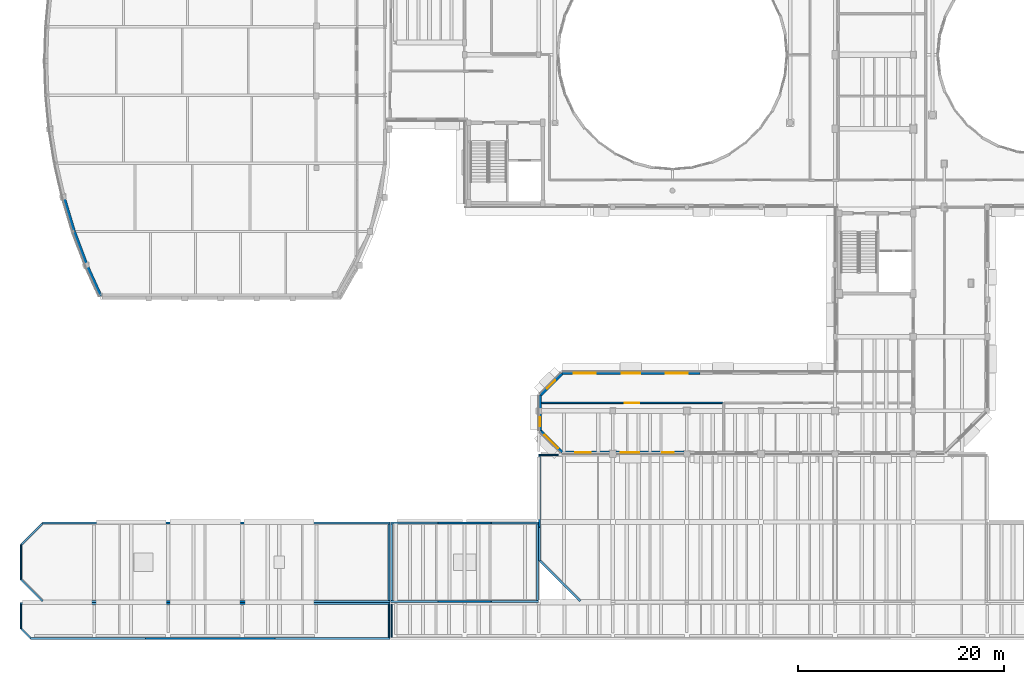
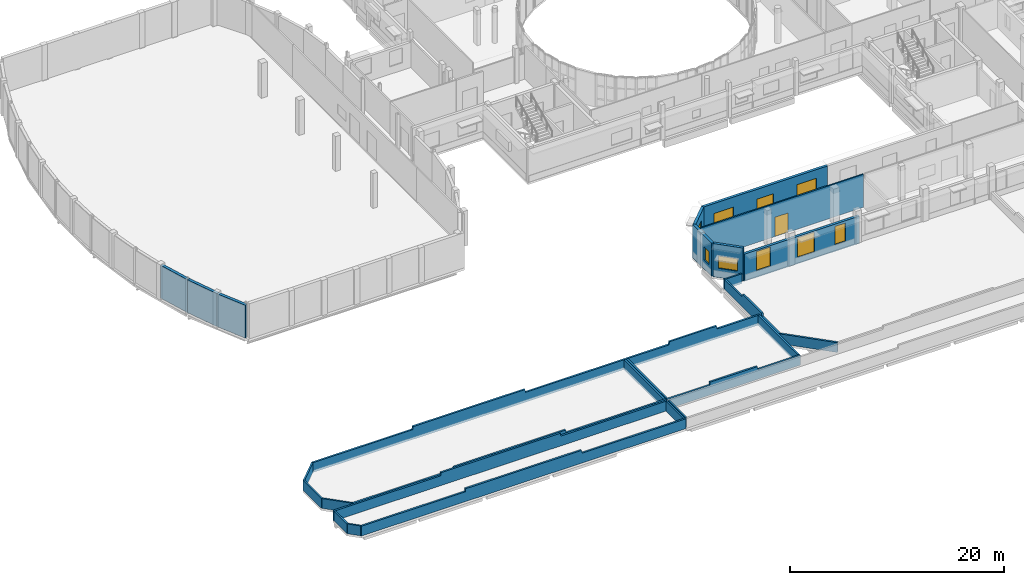
# One storey, part 74 of 105: 28 walls, 9 windows, 1 door, 10 openings.
"""IFC4 building model written with IfcOpenShell, lengths in metres."""

from ifc_helpers import new_model, si_unit, direction, frame, frame_2d, origin, place, context, subcontext, project, spatial, polyline, rectangle, outline, extrude, material, layer, layer_set, type_object, element, fill, save


model = new_model("IFC4")

# Units and contexts
model_context = context("Model", 3, precision=1e-05, world=origin(), true_north=direction((0.0, 1.0)))
body_context = subcontext(model_context, "Body", "Model", "MODEL_VIEW")
ifc_project = project(units=[si_unit("LENGTHUNIT", "METRE"), si_unit("AREAUNIT", "SQUARE_METRE"), si_unit("VOLUMEUNIT", "CUBIC_METRE"), si_unit("PLANEANGLEUNIT", "RADIAN"), si_unit("MASSUNIT", "GRAM", prefix="KILO")], contexts=[model_context])

# Site, building, storey
site_placement = place(None, origin())
site = spatial("IfcSite", under=ifc_project, at=site_placement, CompositionType="ELEMENT")
building_placement = place(site_placement, origin())
building = spatial("IfcBuilding", under=site, at=building_placement, Name="Kelanivale Promenade Academy", CompositionType="ELEMENT")
storey_placement = place(building_placement, frame((0.0, 0.0, 4.199951171875)))
storey = spatial("IfcBuildingStorey", under=building, at=storey_placement, Name="L01", CompositionType="ELEMENT", Elevation=4.199951171875)

# Walls
ifc_material_1 = material(Name="Insulated terracotta-clad masonry wall 300 mm", Category="masonry")
ifc_layer_1 = layer(ifc_material_1, 0.300048828125)
ifc_layer_set_1 = layer_set([ifc_layer_1], Name="Insulated terracotta-clad masonry wall 300 mm")
wall_type_1 = type_object("IfcWallType", Name="EW-01 Wall 300mm", PredefinedType="SOLIDWALL", material=ifc_layer_set_1)
wall_1_placement = place(storey_placement, frame((6.5029296875, 36.31396484375, 0.0), z_axis=(0.0, 0.0, 1.0), x_axis=(0.414347666712, -0.910118679673, 0.0)))
element("IfcWall", 1, at=wall_1_placement, inside=storey, type_object=wall_type_1, Name="Sports Hall Crescent Pavilion curved terracotta wall L01", PredefinedType="SOLIDWALL", context=body_context, shape_type="SweptSolid", body=[
    extrude(rectangle(XDim=3.2412109375, YDim=0.300048828125, at=frame_2d((1.62060546875, 0.0))), origin(), (0.0, 0.0, 1.0), 3.7451171875),
])
wall_2_placement = place(storey_placement, frame((5.260986328125, 39.62890625, 0.0), z_axis=(0.0, 0.0, 1.0), x_axis=(0.350836219137, -0.936436835746, 0.0)))
element("IfcWall", 2, at=wall_2_placement, inside=storey, type_object=wall_type_1, Name="Sports Hall Crescent Pavilion curved terracotta wall L01", PredefinedType="SOLIDWALL", context=body_context, shape_type="SweptSolid", body=[
    extrude(rectangle(XDim=3.5400390625, YDim=0.300048828125, at=frame_2d((1.77001953125, 0.0))), origin(), (0.0, 0.0, 1.0), 3.7451171875),
])
wall_3_placement = place(storey_placement, frame((4.26806640625, 42.943115234375, 0.0), z_axis=(0.0, 0.0, 1.0), x_axis=(0.286991798892, -0.957933039084, 0.0)))
element("IfcWall", 3, at=wall_3_placement, inside=storey, type_object=wall_type_1, Name="Sports Hall Crescent Pavilion curved terracotta wall L01", PredefinedType="SOLIDWALL", context=body_context, shape_type="SweptSolid", body=[
    extrude(rectangle(XDim=3.459716796875, YDim=0.300048828125, at=frame_2d((1.72998046875, 0.0))), origin(), (0.0, 0.0, 1.0), 3.7451171875),
])

# Wall, opening, window
ifc_material_2 = material(Name="Insulated ivory stucco masonry wall 280 mm", Category="masonry")
ifc_layer_2 = layer(ifc_material_2, 0.280029296875)
ifc_layer_set_2 = layer_set([ifc_layer_2], Name="Insulated ivory stucco masonry wall 280 mm")
wall_type_2 = type_object("IfcWallType", Name="EW-02 Wall 280mm", PredefinedType="SOLIDWALL", material=ifc_layer_set_2)
wall_4_placement = place(storey_placement, frame((50.583984375, 20.25390625, 0.0), z_axis=(0.0, 0.0, 1.0), x_axis=(0.70714847995, -0.707065079964, 0.0)))
wall_4 = element("IfcWall", 4, at=wall_4_placement, inside=storey, type_object=wall_type_2, Name="L01 exterior facade wall EW-L01-ORT-0356", PredefinedType="SOLIDWALL", context=body_context, shape_type="SweptSolid", body=[
    extrude(rectangle(XDim=2.92724609375, YDim=0.280029296875, at=frame_2d((1.463623046875, 0.0))), origin(), (0.0, 0.0, 1.0), 3.780029296875),
])
opening_1_placement = place(wall_4_placement, frame((0.5390625, 0.0, 1.050048828125)))
opening_1 = element("IfcOpeningElement", 5, at=opening_1_placement, cuts=wall_4, Name="Opening WT-36", PredefinedType="OPENING", context=body_context, shape_type="SweptSolid", body=[
    extrude(rectangle(XDim=1.85009765625, YDim=1.39990234375, at=frame_2d((0.925048828125, 0.699951171875))), frame((0.0, 0.14990234375, 0.0), z_axis=(0.0, -1.0, 0.0), x_axis=(1.0, 0.0, 0.0)), (0.0, 0.0, 1.0), 0.300048828125),
])
ifc_material_3 = material(Name="Bronze anodised aluminium frame with low-E laminated glass", Category="aluminium")
window_type_1 = type_object("IfcWindowType", Name="WT-36 Window 1850x1400", PartitioningType="SINGLE_PANEL", PredefinedType="WINDOW", material=ifc_material_3)
window_1_placement = place(opening_1_placement, origin())
window_1 = element("IfcWindow", 6, at=window_1_placement, inside=storey, type_object=window_type_1, Name="Window WT-36", OverallHeight=1.39990234375, OverallWidth=1.85009765625, PartitioningType="SINGLE_PANEL", PredefinedType="WINDOW", context=body_context, shape_type="SweptSolid", body=[
    extrude(rectangle(XDim=1.85009765625, YDim=1.39990234375, at=frame_2d((0.925048828125, 0.699951171875))), frame((0.0, 0.030029296875, 0.0), z_axis=(0.0, -1.0, 0.0), x_axis=(1.0, 0.0, 0.0)), (0.0, 0.0, 1.0), 0.06005859375),
])
fill(opening_1, window_1)

# Wall, openings, windows
wall_5_placement = place(storey_placement, frame((52.64208984375, 18.139892578125, 0.0), z_axis=(0.0, 0.0, 1.0), x_axis=(1.0, 0.0, 0.0)))
wall_5 = element("IfcWall", 7, at=wall_5_placement, inside=storey, type_object=wall_type_2, Name="L01 exterior facade wall EW-L01-ORT-0357", PredefinedType="SOLIDWALL", context=body_context, shape_type="SweptSolid", body=[
    extrude(rectangle(XDim=12.40380859375, YDim=0.280029296875, at=frame_2d((6.201904296875, 0.0))), origin(), (0.0, 0.0, 1.0), 3.110107421875),
])
opening_2_placement = place(wall_5_placement, frame((1.31689453125, 0.0, 0.75)))
opening_2 = element("IfcOpeningElement", 8, at=opening_2_placement, cuts=wall_5, Name="Opening WT-11", PredefinedType="OPENING", context=body_context, shape_type="SweptSolid", body=[
    extrude(rectangle(XDim=1.5, YDim=2.199951171875, at=frame_2d((0.75, 1.10009765625))), frame((0.0, 0.14990234375, 0.0), z_axis=(0.0, -1.0, 0.0), x_axis=(1.0, 0.0, 0.0)), (0.0, 0.0, 1.0), 0.300048828125),
])
opening_3_placement = place(wall_5_placement, frame((5.751953125, 0.0, 0.719970703125)))
opening_3 = element("IfcOpeningElement", 9, at=opening_3_placement, cuts=wall_5, Name="Opening WT-12", PredefinedType="OPENING", context=body_context, shape_type="SweptSolid", body=[
    extrude(rectangle(XDim=1.800048828125, YDim=2.25, at=frame_2d((0.89990234375, 1.125))), frame((0.0, 0.14990234375, 0.0), z_axis=(0.0, -1.0, 0.0), x_axis=(1.0, 0.0, 0.0)), (0.0, 0.0, 1.0), 0.300048828125),
])
opening_4_placement = place(wall_5_placement, frame((9.787109375, 0.0, 0.75)))
opening_4 = element("IfcOpeningElement", 10, at=opening_4_placement, cuts=wall_5, Name="Opening WT-17", PredefinedType="OPENING", context=body_context, shape_type="SweptSolid", body=[
    extrude(rectangle(XDim=1.10009765625, YDim=2.10009765625, at=frame_2d((0.550048828125, 1.050048828125))), frame((0.0, 0.14990234375, 0.0), z_axis=(0.0, -1.0, 0.0), x_axis=(1.0, 0.0, 0.0)), (0.0, 0.0, 1.0), 0.300048828125),
])
window_type_2 = type_object("IfcWindowType", Name="WT-11 Window 1500x2200", PartitioningType="SINGLE_PANEL", PredefinedType="WINDOW", material=ifc_material_3)
window_2_placement = place(opening_2_placement, origin())
window_2 = element("IfcWindow", 11, at=window_2_placement, inside=storey, type_object=window_type_2, Name="Window WT-11", OverallHeight=2.199951171875, OverallWidth=1.5, PartitioningType="SINGLE_PANEL", PredefinedType="WINDOW", context=body_context, shape_type="SweptSolid", body=[
    extrude(rectangle(XDim=1.5, YDim=2.199951171875, at=frame_2d((0.75, 1.10009765625))), frame((0.0, 0.030029296875, 0.0), z_axis=(0.0, -1.0, 0.0), x_axis=(1.0, 0.0, 0.0)), (0.0, 0.0, 1.0), 0.06005859375),
])
fill(opening_2, window_2)
window_type_3 = type_object("IfcWindowType", Name="WT-12 Window 1800x2250", PartitioningType="SINGLE_PANEL", PredefinedType="WINDOW", material=ifc_material_3)
window_3_placement = place(opening_3_placement, origin())
window_3 = element("IfcWindow", 12, at=window_3_placement, inside=storey, type_object=window_type_3, Name="Window WT-12", OverallHeight=2.25, OverallWidth=1.800048828125, PartitioningType="SINGLE_PANEL", PredefinedType="WINDOW", context=body_context, shape_type="SweptSolid", body=[
    extrude(rectangle(XDim=1.800048828125, YDim=2.25, at=frame_2d((0.89990234375, 1.125))), frame((0.0, 0.030029296875, 0.0), z_axis=(0.0, -1.0, 0.0), x_axis=(1.0, 0.0, 0.0)), (0.0, 0.0, 1.0), 0.06005859375),
])
fill(opening_3, window_3)
window_type_4 = type_object("IfcWindowType", Name="WT-17 Window 1100x2100", PartitioningType="SINGLE_PANEL", PredefinedType="WINDOW", material=ifc_material_3)
window_4_placement = place(opening_4_placement, origin())
window_4 = element("IfcWindow", 13, at=window_4_placement, inside=storey, type_object=window_type_4, Name="Window WT-17", OverallHeight=2.10009765625, OverallWidth=1.10009765625, PartitioningType="SINGLE_PANEL", PredefinedType="WINDOW", context=body_context, shape_type="SweptSolid", body=[
    extrude(rectangle(XDim=1.10009765625, YDim=2.10009765625, at=frame_2d((0.550048828125, 1.050048828125))), frame((0.0, 0.030029296875, 0.0), z_axis=(0.0, -1.0, 0.0), x_axis=(1.0, 0.0, 0.0)), (0.0, 0.0, 1.0), 0.06005859375),
])
fill(opening_4, window_4)

wall_6_placement = place(storey_placement, frame((66.06103515625, 25.860107421875, 0.0), z_axis=(0.0, 0.0, 1.0), x_axis=(-1.0, 0.0, 0.0)))
wall_6 = element("IfcWall", 14, at=wall_6_placement, inside=storey, type_object=wall_type_2, Name="L01 exterior facade wall EW-L01-ORT-0395", PredefinedType="SOLIDWALL", context=body_context, shape_type="SweptSolid", body=[
    extrude(rectangle(XDim=13.4189453125, YDim=0.280029296875, at=frame_2d((6.70947265625, 0.0))), origin(), (0.0, 0.0, 1.0), 3.780029296875),
])
opening_5_placement = place(wall_6_placement, frame((1.162109375, 0.0, 0.85009765625)))
opening_5 = element("IfcOpeningElement", 15, at=opening_5_placement, cuts=wall_6, Name="Opening WT-33", PredefinedType="OPENING", context=body_context, shape_type="SweptSolid", body=[
    extrude(rectangle(XDim=2.14990234375, YDim=1.949951171875, at=frame_2d((1.074951171875, 0.97509765625))), frame((0.0, 0.14990234375, 0.0), z_axis=(0.0, -1.0, 0.0), x_axis=(1.0, 0.0, 0.0)), (0.0, 0.0, 1.0), 0.300048828125),
])
opening_6_placement = place(wall_6_placement, frame((5.81005859375, 0.0, 0.85009765625)))
opening_6 = element("IfcOpeningElement", 16, at=opening_6_placement, cuts=wall_6, Name="Opening WT-01", PredefinedType="OPENING", context=body_context, shape_type="SweptSolid", body=[
    extrude(rectangle(XDim=1.800048828125, YDim=1.800048828125, at=frame_2d((0.89990234375, 0.89990234375))), frame((0.0, 0.14990234375, 0.0), z_axis=(0.0, -1.0, 0.0), x_axis=(1.0, 0.0, 0.0)), (0.0, 0.0, 1.0), 0.300048828125),
])
opening_7_placement = place(wall_6_placement, frame((10.133056640625, 0.0, 0.85009765625)))
opening_7 = element("IfcOpeningElement", 17, at=opening_7_placement, cuts=wall_6, Name="Opening WT-02", PredefinedType="OPENING", context=body_context, shape_type="SweptSolid", body=[
    extrude(rectangle(XDim=2.10009765625, YDim=1.800048828125, at=frame_2d((1.050048828125, 0.89990234375))), frame((0.0, 0.14990234375, 0.0), z_axis=(0.0, -1.0, 0.0), x_axis=(1.0, 0.0, 0.0)), (0.0, 0.0, 1.0), 0.300048828125),
])
window_type_5 = type_object("IfcWindowType", Name="WT-01 Window 1800x1800", PartitioningType="SINGLE_PANEL", PredefinedType="WINDOW", material=ifc_material_3)
window_5_placement = place(opening_6_placement, origin())
window_5 = element("IfcWindow", 18, at=window_5_placement, inside=storey, type_object=window_type_5, Name="Window WT-01", OverallHeight=1.800048828125, OverallWidth=1.800048828125, PartitioningType="SINGLE_PANEL", PredefinedType="WINDOW", context=body_context, shape_type="SweptSolid", body=[
    extrude(rectangle(XDim=1.800048828125, YDim=1.800048828125, at=frame_2d((0.89990234375, 0.89990234375))), frame((0.0, 0.030029296875, 0.0), z_axis=(0.0, -1.0, 0.0), x_axis=(1.0, 0.0, 0.0)), (0.0, 0.0, 1.0), 0.06005859375),
])
fill(opening_6, window_5)
window_type_6 = type_object("IfcWindowType", Name="WT-02 Window 2100x1800", PartitioningType="SINGLE_PANEL", PredefinedType="WINDOW", material=ifc_material_3)
window_6_placement = place(opening_7_placement, origin())
window_6 = element("IfcWindow", 19, at=window_6_placement, inside=storey, type_object=window_type_6, Name="Window WT-02", OverallHeight=1.800048828125, OverallWidth=2.10009765625, PartitioningType="SINGLE_PANEL", PredefinedType="WINDOW", context=body_context, shape_type="SweptSolid", body=[
    extrude(rectangle(XDim=2.10009765625, YDim=1.800048828125, at=frame_2d((1.050048828125, 0.89990234375))), frame((0.0, 0.030029296875, 0.0), z_axis=(0.0, -1.0, 0.0), x_axis=(1.0, 0.0, 0.0)), (0.0, 0.0, 1.0), 0.06005859375),
])
fill(opening_7, window_6)
window_type_7 = type_object("IfcWindowType", Name="WT-33 Window 2150x1950", PartitioningType="SINGLE_PANEL", PredefinedType="WINDOW", material=ifc_material_3)
window_7_placement = place(opening_5_placement, origin())
window_7 = element("IfcWindow", 20, at=window_7_placement, inside=storey, type_object=window_type_7, Name="Window WT-33", OverallHeight=1.949951171875, OverallWidth=2.14990234375, PartitioningType="SINGLE_PANEL", PredefinedType="WINDOW", context=body_context, shape_type="SweptSolid", body=[
    extrude(rectangle(XDim=2.14990234375, YDim=1.949951171875, at=frame_2d((1.074951171875, 0.97509765625))), frame((0.0, 0.030029296875, 0.0), z_axis=(0.0, -1.0, 0.0), x_axis=(1.0, 0.0, 0.0)), (0.0, 0.0, 1.0), 0.06005859375),
])
fill(opening_5, window_7)

# Wall, opening, window
wall_7_placement = place(storey_placement, frame((52.654052734375, 25.81591796875, 0.0), z_axis=(0.0, 0.0, 1.0), x_axis=(-0.70714847995, -0.707065079964, 0.0)))
wall_7 = element("IfcWall", 21, at=wall_7_placement, inside=storey, type_object=wall_type_2, Name="L01 exterior facade wall EW-L01-ORT-0396", PredefinedType="SOLIDWALL", context=body_context, shape_type="SweptSolid", body=[
    extrude(rectangle(XDim=2.92724609375, YDim=0.280029296875, at=frame_2d((1.463623046875, 0.0))), origin(), (0.0, 0.0, 1.0), 3.780029296875),
])
opening_8_placement = place(wall_7_placement, frame((0.9140625, 0.0, 0.75)))
opening_8 = element("IfcOpeningElement", 22, at=opening_8_placement, cuts=wall_7, Name="Opening WT-17", PredefinedType="OPENING", context=body_context, shape_type="SweptSolid", body=[
    extrude(rectangle(XDim=1.10009765625, YDim=2.10009765625, at=frame_2d((0.550048828125, 1.050048828125))), frame((0.0, 0.14990234375, 0.0), z_axis=(0.0, -1.0, 0.0), x_axis=(1.0, 0.0, 0.0)), (0.0, 0.0, 1.0), 0.300048828125),
])
window_8_placement = place(opening_8_placement, origin())
window_8 = element("IfcWindow", 23, at=window_8_placement, inside=storey, type_object=window_type_4, Name="Window WT-17", OverallHeight=2.10009765625, OverallWidth=1.10009765625, PartitioningType="SINGLE_PANEL", PredefinedType="WINDOW", context=body_context, shape_type="SweptSolid", body=[
    extrude(rectangle(XDim=1.10009765625, YDim=2.10009765625, at=frame_2d((0.550048828125, 1.050048828125))), frame((0.0, 0.030029296875, 0.0), z_axis=(0.0, -1.0, 0.0), x_axis=(1.0, 0.0, 0.0)), (0.0, 0.0, 1.0), 0.06005859375),
])
fill(opening_8, window_8)

wall_8_placement = place(storey_placement, frame((50.5400390625, 23.758056640625, 0.0), z_axis=(0.0, 0.0, 1.0), x_axis=(0.0, -1.0, 0.0)))
wall_8 = element("IfcWall", 24, at=wall_8_placement, inside=storey, type_object=wall_type_2, Name="L01 exterior facade wall EW-L01-ORT-0397", PredefinedType="SOLIDWALL", context=body_context, shape_type="SweptSolid", body=[
    extrude(rectangle(XDim=3.51611328125, YDim=0.280029296875, at=frame_2d((1.758056640625, 0.0))), origin(), (0.0, 0.0, 1.0), 3.780029296875),
])
opening_9_placement = place(wall_8_placement, frame((2.157958984375, 0.0, 1.050048828125)))
opening_9 = element("IfcOpeningElement", 25, at=opening_9_placement, cuts=wall_8, Name="Opening WT-06", PredefinedType="OPENING", context=body_context, shape_type="SweptSolid", body=[
    extrude(rectangle(XDim=0.89990234375, YDim=1.5, at=frame_2d((0.449951171875, 0.75))), frame((0.0, 0.14990234375, 0.0), z_axis=(0.0, -1.0, 0.0), x_axis=(1.0, 0.0, 0.0)), (0.0, 0.0, 1.0), 0.300048828125),
])
window_type_8 = type_object("IfcWindowType", Name="WT-06 Window 900x1500", PartitioningType="SINGLE_PANEL", PredefinedType="WINDOW", material=ifc_material_3)
window_9_placement = place(opening_9_placement, origin())
window_9 = element("IfcWindow", 26, at=window_9_placement, inside=storey, type_object=window_type_8, Name="Window WT-06", OverallHeight=1.5, OverallWidth=0.89990234375, PartitioningType="SINGLE_PANEL", PredefinedType="WINDOW", context=body_context, shape_type="SweptSolid", body=[
    extrude(rectangle(XDim=0.89990234375, YDim=1.5, at=frame_2d((0.449951171875, 0.75))), frame((0.0, 0.030029296875, 0.0), z_axis=(0.0, -1.0, 0.0), x_axis=(1.0, 0.0, 0.0)), (0.0, 0.0, 1.0), 0.06005859375),
])
fill(opening_9, window_9)

# Wall, opening, door
ifc_material_4 = material(Name="Acoustic gypsum-lined masonry partition 150 mm", Category="masonry")
ifc_layer_3 = layer(ifc_material_4, 0.14990234375)
ifc_layer_set_3 = layer_set([ifc_layer_3], Name="Acoustic gypsum-lined masonry partition 150 mm")
wall_type_3 = type_object("IfcWallType", Name="IW-03 Wall 150mm", PredefinedType="PARTITIONING", material=ifc_layer_set_3)
wall_9_placement = place(storey_placement, frame((68.297119140625, 22.969970703125, 0.0), z_axis=(0.0, 0.0, 1.0), x_axis=(-1.0, 0.0, 0.0)))
wall_9 = element("IfcWall", 27, at=wall_9_placement, inside=storey, type_object=wall_type_3, Name="L01 partition Culinary Teaching Studio", PredefinedType="PARTITIONING", context=body_context, shape_type="SweptSolid", body=[
    extrude(rectangle(XDim=17.619140625, YDim=0.14990234375, at=frame_2d((8.8095703125, 0.0))), origin(), (0.0, 0.0, 1.0), 3.760009765625),
])
opening_10_placement = place(wall_9_placement, frame((8.110107421875, 0.0, 0.0)))
opening_10 = element("IfcOpeningElement", 28, at=opening_10_placement, cuts=wall_9, Name="Opening ID-L01-074", PredefinedType="OPENING", context=body_context, shape_type="SweptSolid", body=[
    extrude(rectangle(XDim=1.39990234375, YDim=2.199951171875, at=frame_2d((0.699951171875, 1.10009765625))), frame((0.0, 0.0849609375, 0.0), z_axis=(0.0, -1.0, 0.0), x_axis=(1.0, 0.0, 0.0)), (0.0, 0.0, 1.0), 0.169921875),
])
ifc_material_5 = material(Name="Fire-rated steel-core teak veneer", Category="steel")
door_type = type_object("IfcDoorType", Name="DT-F08 Door 1400x2200", OperationType="NOTDEFINED", PredefinedType="DOOR", material=ifc_material_5)
door_placement = place(opening_10_placement, origin())
door = element("IfcDoor", 29, at=door_placement, inside=storey, type_object=door_type, Name="Culinary Teaching Studio door ID-L01-074", OperationType="DOUBLE_DOOR_SINGLE_SWING", OverallHeight=2.199951171875, OverallWidth=1.39990234375, PredefinedType="DOOR", context=body_context, shape_type="SweptSolid", body=[
    extrude(rectangle(XDim=1.39990234375, YDim=2.199951171875, at=frame_2d((0.699951171875, 1.10009765625))), frame((0.0, 0.02490234375, 0.0), z_axis=(0.0, -1.0, 0.0), x_axis=(1.0, 0.0, 0.0)), (0.0, 0.0, 1.0), 0.050048828125),
])
fill(opening_10, door)

# Walls
ifc_material_6 = material(Name="Precast concrete C40/50", Category="concrete")
ifc_layer_4 = layer(ifc_material_6, 0.195068359375)
ifc_layer_set_4 = layer_set([ifc_layer_4], Name="Precast concrete C40/50")
wall_type_4 = type_object("IfcWallType", Name="PW-01 Wall 195mm", PredefinedType="PARAPET", material=ifc_layer_set_4)
wall_10_placement = place(storey_placement, frame((1.010009765625, 0.097900390625, 0.0), z_axis=(0.0, 0.0, 1.0), x_axis=(1.0, 0.0, 0.0)))
element("IfcWall", 30, at=wall_10_placement, inside=storey, type_object=wall_type_4, Name="L01 stepped Art Deco roof parapet", PredefinedType="PARAPET", context=body_context, shape_type="SweptSolid", body=[
    extrude(outline(polyline([(0.0, 0.0), (34.93896484375, 0.0), (34.93896484375, 1.1201171875), (23.759033203125, 1.1201171875), (23.708984375, 1.4599609375), (11.22998046875, 1.4599609375), (11.179931640625, 1.1201171875), (0.0, 1.1201171875), (0.0, 0.0)])), frame((0.0, 0.09765625, 0.0), z_axis=(0.0, -1.0, 0.0), x_axis=(1.0, 0.0, 0.0)), (0.0, 0.0, 1.0), 0.195068359375),
])
wall_11_placement = place(storey_placement, frame((35.948974609375, 3.501953125, 0.0), z_axis=(0.0, 0.0, 1.0), x_axis=(-1.0, 0.0, 0.0)))
element("IfcWall", 31, at=wall_11_placement, inside=storey, type_object=wall_type_4, Name="L01 stepped Art Deco roof parapet", PredefinedType="PARAPET", context=body_context, shape_type="SweptSolid", body=[
    extrude(outline(polyline([(0.0, 0.0), (35.947998046875, 0.0), (35.947998046875, 1.1201171875), (24.445068359375, 1.1201171875), (24.39501953125, 1.4599609375), (11.552978515625, 1.4599609375), (11.5029296875, 1.1201171875), (0.0, 1.1201171875), (0.0, 0.0)])), frame((0.0, 0.09765625, 0.0), z_axis=(0.0, -1.0, 0.0), x_axis=(1.0, 0.0, 0.0)), (0.0, 0.0, 1.0), 0.195068359375),
])
wall_12_placement = place(storey_placement, frame((2.18603515625, 3.697998046875, 0.0), z_axis=(0.0, 0.0, 1.0), x_axis=(1.0, 0.0, 0.0)))
element("IfcWall", 32, at=wall_12_placement, inside=storey, type_object=wall_type_4, Name="L01 stepped Art Deco roof parapet", PredefinedType="PARAPET", context=body_context, shape_type="SweptSolid", body=[
    extrude(outline(polyline([(0.0, 0.0), (33.762939453125, 0.0), (33.762939453125, 1.1201171875), (22.958984375, 1.1201171875), (22.908935546875, 1.4599609375), (10.85400390625, 1.4599609375), (10.803955078125, 1.1201171875), (0.0, 1.1201171875), (0.0, 0.0)])), frame((0.0, 0.09765625, 0.0), z_axis=(0.0, -1.0, 0.0), x_axis=(1.0, 0.0, 0.0)), (0.0, 0.0, 1.0), 0.195068359375),
])
wall_13_placement = place(storey_placement, frame((35.85205078125, 3.7958984375, 0.0), z_axis=(0.0, 0.0, 1.0), x_axis=(0.0, 1.0, 0.0)))
element("IfcWall", 33, at=wall_13_placement, inside=storey, type_object=wall_type_4, Name="L01 stepped Art Deco roof parapet", PredefinedType="PARAPET", context=body_context, shape_type="SweptSolid", body=[
    extrude(rectangle(XDim=7.408203125, YDim=0.195068359375, at=frame_2d((3.7041015625, 0.0))), origin(), (0.0, 0.0, 1.0), 1.1201171875),
])
wall_14_placement = place(storey_placement, frame((35.948974609375, 11.302001953125, 0.0), z_axis=(0.0, 0.0, 1.0), x_axis=(-1.0, 0.0, 0.0)))
element("IfcWall", 34, at=wall_14_placement, inside=storey, type_object=wall_type_4, Name="L01 stepped Art Deco roof parapet", PredefinedType="PARAPET", context=body_context, shape_type="SweptSolid", body=[
    extrude(outline(polyline([(0.0, 0.0), (33.762939453125, 0.0), (33.762939453125, 1.1201171875), (22.958984375, 1.1201171875), (22.908935546875, 1.4599609375), (10.85400390625, 1.4599609375), (10.803955078125, 1.1201171875), (0.0, 1.1201171875), (0.0, 0.0)])), frame((0.0, 0.09765625, 0.0), z_axis=(0.0, -1.0, 0.0), x_axis=(1.0, 0.0, 0.0)), (0.0, 0.0, 1.0), 0.195068359375),
])
wall_15_placement = place(storey_placement, frame((50.302001953125, 3.7958984375, 0.0), z_axis=(0.0, 0.0, 1.0), x_axis=(0.0, 1.0, 0.0)))
element("IfcWall", 35, at=wall_15_placement, inside=storey, type_object=wall_type_4, Name="L01 stepped Art Deco roof parapet", PredefinedType="PARAPET", context=body_context, shape_type="SweptSolid", body=[
    extrude(rectangle(XDim=7.408203125, YDim=0.195068359375, at=frame_2d((3.7041015625, 0.0))), origin(), (0.0, 0.0, 1.0), 1.1201171875),
])
wall_16_placement = place(storey_placement, frame((50.39892578125, 11.302001953125, 0.0), z_axis=(0.0, 0.0, 1.0), x_axis=(-1.0, 0.0, 0.0)))
element("IfcWall", 36, at=wall_16_placement, inside=storey, type_object=wall_type_4, Name="L01 stepped Art Deco roof parapet", PredefinedType="PARAPET", context=body_context, shape_type="SweptSolid", body=[
    extrude(outline(polyline([(0.0, 0.0), (14.39794921875, 0.0), (14.39794921875, 1.1201171875), (9.791015625, 1.1201171875), (9.740966796875, 1.4599609375), (4.656982421875, 1.4599609375), (4.60693359375, 1.1201171875), (0.0, 1.1201171875), (0.0, 0.0)])), frame((0.0, 0.09765625, 0.0), z_axis=(0.0, -1.0, 0.0), x_axis=(1.0, 0.0, 0.0)), (0.0, 0.0, 1.0), 0.195068359375),
])
wall_17_placement = place(storey_placement, frame((36.097900390625, 11.2041015625, 0.0), z_axis=(0.0, 0.0, 1.0), x_axis=(0.0, -1.0, 0.0)))
element("IfcWall", 37, at=wall_17_placement, inside=storey, type_object=wall_type_4, Name="L01 stepped Art Deco roof parapet", PredefinedType="PARAPET", context=body_context, shape_type="SweptSolid", body=[
    extrude(rectangle(XDim=7.408203125, YDim=0.195068359375, at=frame_2d((3.7041015625, 0.0))), origin(), (0.0, 0.0, 1.0), 1.1201171875),
])
wall_18_placement = place(storey_placement, frame((36.0009765625, 3.697998046875, 0.0), z_axis=(0.0, 0.0, 1.0), x_axis=(1.0, 0.0, 0.0)))
element("IfcWall", 38, at=wall_18_placement, inside=storey, type_object=wall_type_4, Name="L01 stepped Art Deco roof parapet", PredefinedType="PARAPET", context=body_context, shape_type="SweptSolid", body=[
    extrude(outline(polyline([(0.0, 0.0), (14.39794921875, 0.0), (14.39794921875, 1.1201171875), (9.791015625, 1.1201171875), (9.740966796875, 1.4599609375), (4.656982421875, 1.4599609375), (4.60693359375, 1.1201171875), (0.0, 1.1201171875), (0.0, 0.0)])), frame((0.0, 0.09765625, 0.0), z_axis=(0.0, -1.0, 0.0), x_axis=(1.0, 0.0, 0.0)), (0.0, 0.0, 1.0), 0.195068359375),
])
wall_19_placement = place(storey_placement, frame((50.498046875, 17.804931640625, 0.0), z_axis=(0.0, 0.0, 1.0), x_axis=(0.0, -1.0, 0.0)))
element("IfcWall", 39, at=wall_19_placement, inside=storey, type_object=wall_type_4, Name="L01 stepped Art Deco roof parapet", PredefinedType="PARAPET", context=body_context, shape_type="SweptSolid", body=[
    extrude(outline(polyline([(0.0, 0.0), (10.1708984375, 0.0), (10.1708984375, 1.1201171875), (6.916015625, 1.1201171875), (6.865966796875, 1.4599609375), (3.304931640625, 1.4599609375), (3.2548828125, 1.1201171875), (0.0, 1.1201171875), (0.0, 0.0)])), frame((0.0, 0.09765625, 0.0), z_axis=(0.0, -1.0, 0.0), x_axis=(1.0, 0.0, 0.0)), (0.0, 0.0, 1.0), 0.195068359375),
])
wall_20_placement = place(storey_placement, frame((50.527099609375, 7.64404296875, 0.0), z_axis=(0.0, 0.0, 1.0), x_axis=(0.707106781187, -0.707106781187, 0.0)))
element("IfcWall", 40, at=wall_20_placement, inside=storey, type_object=wall_type_4, Name="L01 stepped Art Deco roof parapet", PredefinedType="PARAPET", context=body_context, shape_type="SweptSolid", body=[
    extrude(rectangle(XDim=5.53955078125, YDim=0.195068359375, at=frame_2d((2.769775390625, 0.0))), origin(), (0.0, 0.0, 1.0), 1.1201171875),
])
ifc_layer_5 = layer(ifc_material_6, 0.1650390625)
ifc_layer_set_5 = layer_set([ifc_layer_5], Name="Precast concrete C40/50")
wall_type_5 = type_object("IfcWallType", Name="PW-02 Wall 165mm", PredefinedType="PARAPET", material=ifc_layer_set_5)
wall_21_placement = place(storey_placement, frame((35.85205078125, 0.196044921875, 0.0), z_axis=(0.0, 0.0, 1.0), x_axis=(0.0, 1.0, 0.0)))
element("IfcWall", 41, at=wall_21_placement, inside=storey, type_object=wall_type_5, Name="L01 stepped Art Deco roof parapet", PredefinedType="PARAPET", context=body_context, shape_type="SweptSolid", body=[
    extrude(rectangle(XDim=3.2080078125, YDim=0.1650390625, at=frame_2d((1.60400390625, 0.0))), origin(), (0.0, 0.0, 1.0), 1.1201171875),
])
wall_22_placement = place(storey_placement, frame((0.097900390625, 3.404052734375, 0.0), z_axis=(0.0, 0.0, 1.0), x_axis=(0.0, -1.0, 0.0)))
element("IfcWall", 42, at=wall_22_placement, inside=storey, type_object=wall_type_5, Name="L01 stepped Art Deco roof parapet", PredefinedType="PARAPET", context=body_context, shape_type="SweptSolid", body=[
    extrude(rectangle(XDim=2.39404296875, YDim=0.1650390625, at=frame_2d((1.197021484375, 0.0))), origin(), (0.0, 0.0, 1.0), 1.1201171875),
])
wall_23_placement = place(storey_placement, frame((0.126953125, 1.02001953125, 0.0), z_axis=(0.0, 0.0, 1.0), x_axis=(0.707106781187, -0.707106781187, 0.0)))
element("IfcWall", 43, at=wall_23_placement, inside=storey, type_object=wall_type_5, Name="L01 stepped Art Deco roof parapet", PredefinedType="PARAPET", context=body_context, shape_type="SweptSolid", body=[
    extrude(rectangle(XDim=1.262939453125, YDim=0.1650390625, at=frame_2d((0.63134765625, 0.0))), origin(), (0.0, 0.0, 1.0), 1.1201171875),
])
wall_24_placement = place(storey_placement, frame((36.097900390625, 3.404052734375, 0.0), z_axis=(0.0, 0.0, 1.0), x_axis=(0.0, -1.0, 0.0)))
element("IfcWall", 44, at=wall_24_placement, inside=storey, type_object=wall_type_5, Name="L01 stepped Art Deco roof parapet", PredefinedType="PARAPET", context=body_context, shape_type="SweptSolid", body=[
    extrude(rectangle(XDim=3.2080078125, YDim=0.1650390625, at=frame_2d((1.60400390625, 0.0))), origin(), (0.0, 0.0, 1.0), 1.1201171875),
])
wall_25_placement = place(storey_placement, frame((2.196044921875, 11.27294921875, 0.0), z_axis=(0.0, 0.0, 1.0), x_axis=(-0.707148499631, -0.70706506028, 0.0)))
element("IfcWall", 45, at=wall_25_placement, inside=storey, type_object=wall_type_5, Name="L01 stepped Art Deco roof parapet", PredefinedType="PARAPET", context=body_context, shape_type="SweptSolid", body=[
    extrude(rectangle(XDim=2.926025390625, YDim=0.1650390625, at=frame_2d((1.462890625, 0.0))), origin(), (0.0, 0.0, 1.0), 1.1201171875),
])
wall_26_placement = place(storey_placement, frame((0.097900390625, 9.214111328125, 0.0), z_axis=(0.0, 0.0, 1.0), x_axis=(0.0, -1.0, 0.0)))
element("IfcWall", 46, at=wall_26_placement, inside=storey, type_object=wall_type_5, Name="L01 stepped Art Deco roof parapet", PredefinedType="PARAPET", context=body_context, shape_type="SweptSolid", body=[
    extrude(rectangle(XDim=3.42822265625, YDim=0.1650390625, at=frame_2d((1.714111328125, 0.0))), origin(), (0.0, 0.0, 1.0), 1.1201171875),
])
wall_27_placement = place(storey_placement, frame((0.126953125, 5.7958984375, 0.0), z_axis=(0.0, 0.0, 1.0), x_axis=(0.707148499631, -0.70706506028, 0.0)))
element("IfcWall", 47, at=wall_27_placement, inside=storey, type_object=wall_type_5, Name="L01 stepped Art Deco roof parapet", PredefinedType="PARAPET", context=body_context, shape_type="SweptSolid", body=[
    extrude(rectangle(XDim=2.926025390625, YDim=0.1650390625, at=frame_2d((1.462890625, 0.0))), origin(), (0.0, 0.0, 1.0), 1.1201171875),
])
wall_28_placement = place(storey_placement, frame((52.284912109375, 17.902099609375, 0.0), z_axis=(0.0, 0.0, 1.0), x_axis=(-1.0, 0.0, 0.0)))
element("IfcWall", 48, at=wall_28_placement, inside=storey, type_object=wall_type_5, Name="L01 stepped Art Deco roof parapet", PredefinedType="PARAPET", context=body_context, shape_type="SweptSolid", body=[
    extrude(rectangle(XDim=1.884033203125, YDim=0.1650390625, at=frame_2d((0.94189453125, 0.0))), origin(), (0.0, 0.0, 1.0), 1.1201171875),
])

save(model, "model.ifc")
